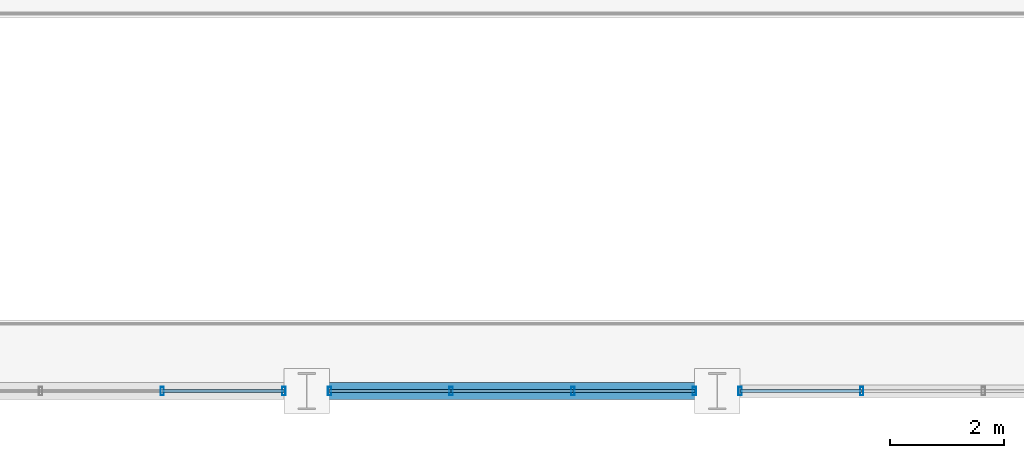
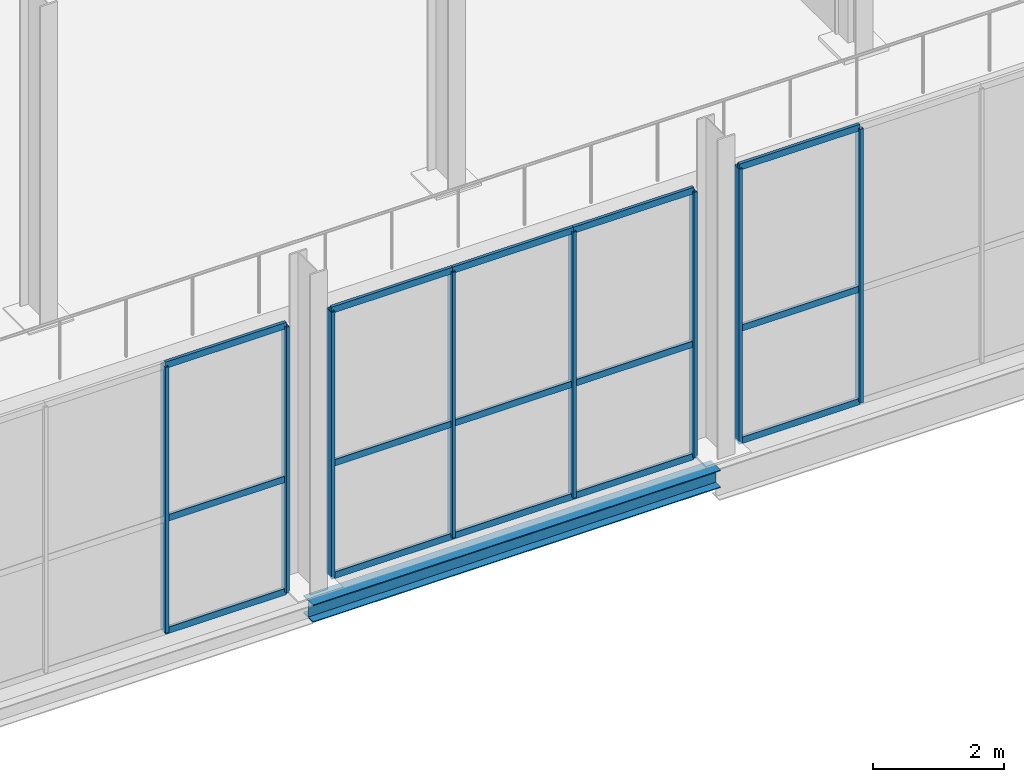
# One storey, part 80 of 144: 23 members, 1 beam, 3 elements without a shape of their own.
"""IFC4 building model written with IfcOpenShell, lengths in metres."""

from ifc_helpers import new_model, si_unit, direction, frame, origin, origin_2d, place, context, subcontext, project, spatial, hollow_rectangle, i_section, extrude, material, layer, layer_set, material_profile, profile_set, type_object, element, aggregate, save


model = new_model("IFC4")

# Units and contexts
model_context = context("Model", 3, precision=1e-05, world=origin(), true_north=direction((0.0, 1.0)))
body_context = subcontext(model_context, "Body", "Model", "MODEL_VIEW")
ifc_project = project(units=[si_unit("LENGTHUNIT", "METRE"), si_unit("AREAUNIT", "SQUARE_METRE"), si_unit("VOLUMEUNIT", "CUBIC_METRE"), si_unit("PLANEANGLEUNIT", "RADIAN"), si_unit("MASSUNIT", "GRAM", prefix="KILO")], contexts=[model_context])

# Site, building, storey
site_placement = place(None, origin())
site = spatial("IfcSite", under=ifc_project, at=site_placement, CompositionType="ELEMENT")
building_placement = place(site_placement, origin())
building = spatial("IfcBuilding", under=site, at=building_placement, Name="Sundgate Opera House", CompositionType="ELEMENT")
storey_placement = place(building_placement, origin())
storey = spatial("IfcBuildingStorey", under=building, at=storey_placement, Name="L00", CompositionType="ELEMENT", Elevation=0.0)

# Beam
ifc_material_1 = material(Name="Steel S355J2", Category="steel")
ifc_material_profile_1 = material_profile(ifc_material_1, i_section(OverallWidth=0.300048828125, OverallDepth=0.330078125, WebThickness=0.009521484375, FlangeThickness=0.0166015625, at=origin_2d()), Name="HEA 340")
ifc_profile_set_1 = profile_set([ifc_material_profile_1], Name="Steel S355J2")
beam_type = type_object("IfcBeamType", Name="BM-GR-HEA340", PredefinedType="BEAM", material=ifc_profile_set_1)
beam_placement = place(storey_placement, frame((145.800048828125, 0.0, -0.485107421875), z_axis=(1.0, 0.0, 0.0), x_axis=(0.0, 1.0, 0.0)))
element("IfcBeam", 1, at=beam_placement, inside=storey, type_object=beam_type, Name="L00 Primary E-W Girder B0335", PredefinedType="BEAM", context=body_context, shape_type="SweptSolid", body=[
    extrude(i_section(OverallWidth=0.300048828125, OverallDepth=0.330078125, WebThickness=0.009521484375, FlangeThickness=0.0166015625, at=origin_2d()), origin(), (0.0, 0.0, 1.0), 7.199951171875),
])

# Curtain wall, members
ifc_material_2 = material(Name="Anodized aluminium and low-iron glass", Category="aluminium")
ifc_layer = layer(ifc_material_2, 0.14990234375)
ifc_layer_set = layer_set([ifc_layer], Name="Anodized aluminium and low-iron glass")
curtain_wall_type = type_object("IfcCurtainWallType", Name="CW-WORKSHOP-DARK", PredefinedType="NOTDEFINED", material=ifc_layer_set)
curtain_wall_1_placement = place(storey_placement, origin())
curtain_wall_1 = element("IfcCurtainWall", 2, at=curtain_wall_1_placement, inside=storey, type_object=curtain_wall_type, Name="L00 Curtain Wall CW126", PredefinedType="NOTDEFINED")
ifc_material_3 = material(Name="Anodized aluminium EN AW-6063", Category="aluminium")
ifc_material_profile_2 = material_profile(ifc_material_3, hollow_rectangle(XDim=0.06005859375, YDim=0.14990234375, WallThickness=0.00390625, at=origin_2d()), Name="CWM 150x60x4")
ifc_profile_set_2 = profile_set([ifc_material_profile_2], Name="Anodized aluminium EN AW-6063")
member_type_1 = type_object("IfcMemberType", Name="CWM-ALU-150x60", PredefinedType="MULLION", material=ifc_profile_set_2)
member_1_placement = place(storey_placement, frame((145.39990234375, 0.0, 0.0), z_axis=(0.0, 0.0, 1.0), x_axis=(1.0, 0.0, 0.0)))
member_1 = element("IfcMember", 3, at=member_1_placement, type_object=member_type_1, Name="CW126 Mullion 1", PredefinedType="MULLION", context=body_context, shape_type="SweptSolid", body=[
    extrude(hollow_rectangle(XDim=0.06005859375, YDim=0.14990234375, WallThickness=0.00390625, at=origin_2d()), origin(), (0.0, 0.0, 1.0), 4.965087890625),
])
member_2_placement = place(storey_placement, frame((143.2666015625, 0.0, 0.0), z_axis=(0.0, 0.0, 1.0), x_axis=(1.0, 0.0, 0.0)))
member_2 = element("IfcMember", 4, at=member_2_placement, type_object=member_type_1, Name="CW126 Mullion 2", PredefinedType="MULLION", context=body_context, shape_type="SweptSolid", body=[
    extrude(hollow_rectangle(XDim=0.06005859375, YDim=0.14990234375, WallThickness=0.00390625, at=origin_2d()), origin(), (0.0, 0.0, 1.0), 4.965087890625),
])

curtain_wall_2_placement = place(storey_placement, origin())
curtain_wall_2 = element("IfcCurtainWall", 5, at=curtain_wall_2_placement, inside=storey, type_object=curtain_wall_type, Name="L00 Curtain Wall CW127", PredefinedType="NOTDEFINED")
member_3_placement = place(storey_placement, frame((152.60009765625, 0.0, 0.0), z_axis=(0.0, 0.0, 1.0), x_axis=(1.0, 0.0, 0.0)))
member_3 = element("IfcMember", 6, at=member_3_placement, type_object=member_type_1, Name="CW127 Mullion 1", PredefinedType="MULLION", context=body_context, shape_type="SweptSolid", body=[
    extrude(hollow_rectangle(XDim=0.06005859375, YDim=0.14990234375, WallThickness=0.00390625, at=origin_2d()), origin(), (0.0, 0.0, 1.0), 4.965087890625),
])
member_4_placement = place(storey_placement, frame((150.466552734375, 0.0, 0.0), z_axis=(0.0, 0.0, 1.0), x_axis=(1.0, 0.0, 0.0)))
member_4 = element("IfcMember", 7, at=member_4_placement, type_object=member_type_1, Name="CW127 Mullion 2", PredefinedType="MULLION", context=body_context, shape_type="SweptSolid", body=[
    extrude(hollow_rectangle(XDim=0.06005859375, YDim=0.14990234375, WallThickness=0.00390625, at=origin_2d()), origin(), (0.0, 0.0, 1.0), 4.965087890625),
])
member_5_placement = place(storey_placement, frame((148.333251953125, 0.0, 0.0), z_axis=(0.0, 0.0, 1.0), x_axis=(1.0, 0.0, 0.0)))
member_5 = element("IfcMember", 8, at=member_5_placement, type_object=member_type_1, Name="CW127 Mullion 3", PredefinedType="MULLION", context=body_context, shape_type="SweptSolid", body=[
    extrude(hollow_rectangle(XDim=0.06005859375, YDim=0.14990234375, WallThickness=0.00390625, at=origin_2d()), origin(), (0.0, 0.0, 1.0), 4.965087890625),
])
member_6_placement = place(storey_placement, frame((146.199951171875, 0.0, 0.0), z_axis=(0.0, 0.0, 1.0), x_axis=(1.0, 0.0, 0.0)))
member_6 = element("IfcMember", 9, at=member_6_placement, type_object=member_type_1, Name="CW127 Mullion 4", PredefinedType="MULLION", context=body_context, shape_type="SweptSolid", body=[
    extrude(hollow_rectangle(XDim=0.06005859375, YDim=0.14990234375, WallThickness=0.00390625, at=origin_2d()), origin(), (0.0, 0.0, 1.0), 4.965087890625),
])

curtain_wall_3_placement = place(storey_placement, origin())
curtain_wall_3 = element("IfcCurtainWall", 10, at=curtain_wall_3_placement, inside=storey, type_object=curtain_wall_type, Name="L00 Curtain Wall CW128", PredefinedType="NOTDEFINED")
member_7_placement = place(storey_placement, frame((155.533447265625, 0.0, 0.0), z_axis=(0.0, 0.0, 1.0), x_axis=(1.0, 0.0, 0.0)))
member_7 = element("IfcMember", 11, at=member_7_placement, type_object=member_type_1, Name="CW128 Mullion 3", PredefinedType="MULLION", context=body_context, shape_type="SweptSolid", body=[
    extrude(hollow_rectangle(XDim=0.06005859375, YDim=0.14990234375, WallThickness=0.00390625, at=origin_2d()), origin(), (0.0, 0.0, 1.0), 5.114990234375),
])
member_8_placement = place(storey_placement, frame((153.39990234375, 0.0, 0.0), z_axis=(0.0, 0.0, 1.0), x_axis=(1.0, 0.0, 0.0)))
member_8 = element("IfcMember", 12, at=member_8_placement, type_object=member_type_1, Name="CW128 Mullion 4", PredefinedType="MULLION", context=body_context, shape_type="SweptSolid", body=[
    extrude(hollow_rectangle(XDim=0.06005859375, YDim=0.14990234375, WallThickness=0.00390625, at=origin_2d()), origin(), (0.0, 0.0, 1.0), 5.114990234375),
])

# Member
ifc_material_4 = material(Name="Anodized aluminium EN AW-6063", Category="aluminium")
ifc_material_profile_3 = material_profile(ifc_material_4, hollow_rectangle(XDim=0.054931640625, YDim=0.1201171875, WallThickness=0.00390625, at=origin_2d()), Name="CWT 120x55x4")
ifc_profile_set_3 = profile_set([ifc_material_profile_3], Name="Anodized aluminium EN AW-6063")
member_type_2 = type_object("IfcMemberType", Name="CWT-ALU-120x55", PredefinedType="USERDEFINED", material=ifc_profile_set_3)
member_9_placement = place(storey_placement, frame((145.39990234375, 0.0, 0.0), z_axis=(-1.0, 0.0, 0.0), x_axis=(0.0, -1.0, 0.0)))
member_9 = element("IfcMember", 13, at=member_9_placement, type_object=member_type_2, Name="CW126 Transom 1", ObjectType="TRANSOM", PredefinedType="USERDEFINED", context=body_context, shape_type="SweptSolid", body=[
    extrude(hollow_rectangle(XDim=0.054931640625, YDim=0.1201171875, WallThickness=0.00390625, at=origin_2d()), origin(), (0.0, 0.0, 1.0), 2.13330078125),
])

member_10_placement = place(storey_placement, frame((145.39990234375, 0.0, 2.10009765625), z_axis=(-1.0, 0.0, 0.0), x_axis=(0.0, -1.0, 0.0)))
member_10 = element("IfcMember", 14, at=member_10_placement, type_object=member_type_2, Name="CW126 Transom 2", ObjectType="TRANSOM", PredefinedType="USERDEFINED", context=body_context, shape_type="SweptSolid", body=[
    extrude(hollow_rectangle(XDim=0.054931640625, YDim=0.1201171875, WallThickness=0.00390625, at=origin_2d()), origin(), (0.0, 0.0, 1.0), 2.13330078125),
])

member_11_placement = place(storey_placement, frame((145.39990234375, 0.0, 4.965087890625), z_axis=(-1.0, 0.0, 0.0), x_axis=(0.0, -1.0, 0.0)))
member_11 = element("IfcMember", 15, at=member_11_placement, type_object=member_type_2, Name="CW126 Transom 3", ObjectType="TRANSOM", PredefinedType="USERDEFINED", context=body_context, shape_type="SweptSolid", body=[
    extrude(hollow_rectangle(XDim=0.054931640625, YDim=0.1201171875, WallThickness=0.00390625, at=origin_2d()), origin(), (0.0, 0.0, 1.0), 2.13330078125),
])

aggregate(curtain_wall_1, [member_1, member_2, member_9, member_10, member_11])

member_12_placement = place(storey_placement, frame((152.60009765625, 0.0, 0.0), z_axis=(-1.0, 0.0, 0.0), x_axis=(0.0, -1.0, 0.0)))
member_12 = element("IfcMember", 16, at=member_12_placement, type_object=member_type_2, Name="CW127 Transom 1", ObjectType="TRANSOM", PredefinedType="USERDEFINED", context=body_context, shape_type="SweptSolid", body=[
    extrude(hollow_rectangle(XDim=0.054931640625, YDim=0.1201171875, WallThickness=0.00390625, at=origin_2d()), origin(), (0.0, 0.0, 1.0), 2.133544921875),
])

member_13_placement = place(storey_placement, frame((152.60009765625, 0.0, 2.10009765625), z_axis=(-1.0, 0.0, 0.0), x_axis=(0.0, -1.0, 0.0)))
member_13 = element("IfcMember", 17, at=member_13_placement, type_object=member_type_2, Name="CW127 Transom 2", ObjectType="TRANSOM", PredefinedType="USERDEFINED", context=body_context, shape_type="SweptSolid", body=[
    extrude(hollow_rectangle(XDim=0.054931640625, YDim=0.1201171875, WallThickness=0.00390625, at=origin_2d()), origin(), (0.0, 0.0, 1.0), 2.133544921875),
])

member_14_placement = place(storey_placement, frame((152.60009765625, 0.0, 4.965087890625), z_axis=(-1.0, 0.0, 0.0), x_axis=(0.0, -1.0, 0.0)))
member_14 = element("IfcMember", 18, at=member_14_placement, type_object=member_type_2, Name="CW127 Transom 3", ObjectType="TRANSOM", PredefinedType="USERDEFINED", context=body_context, shape_type="SweptSolid", body=[
    extrude(hollow_rectangle(XDim=0.054931640625, YDim=0.1201171875, WallThickness=0.00390625, at=origin_2d()), origin(), (0.0, 0.0, 1.0), 2.133544921875),
])

member_15_placement = place(storey_placement, frame((150.466552734375, 0.0, 0.0), z_axis=(-1.0, 0.0, 0.0), x_axis=(0.0, -1.0, 0.0)))
member_15 = element("IfcMember", 19, at=member_15_placement, type_object=member_type_2, Name="CW127 Transom 4", ObjectType="TRANSOM", PredefinedType="USERDEFINED", context=body_context, shape_type="SweptSolid", body=[
    extrude(hollow_rectangle(XDim=0.054931640625, YDim=0.1201171875, WallThickness=0.00390625, at=origin_2d()), origin(), (0.0, 0.0, 1.0), 2.13330078125),
])

member_16_placement = place(storey_placement, frame((150.466552734375, 0.0, 2.10009765625), z_axis=(-1.0, 0.0, 0.0), x_axis=(0.0, -1.0, 0.0)))
member_16 = element("IfcMember", 20, at=member_16_placement, type_object=member_type_2, Name="CW127 Transom 5", ObjectType="TRANSOM", PredefinedType="USERDEFINED", context=body_context, shape_type="SweptSolid", body=[
    extrude(hollow_rectangle(XDim=0.054931640625, YDim=0.1201171875, WallThickness=0.00390625, at=origin_2d()), origin(), (0.0, 0.0, 1.0), 2.13330078125),
])

member_17_placement = place(storey_placement, frame((150.466552734375, 0.0, 4.965087890625), z_axis=(-1.0, 0.0, 0.0), x_axis=(0.0, -1.0, 0.0)))
member_17 = element("IfcMember", 21, at=member_17_placement, type_object=member_type_2, Name="CW127 Transom 6", ObjectType="TRANSOM", PredefinedType="USERDEFINED", context=body_context, shape_type="SweptSolid", body=[
    extrude(hollow_rectangle(XDim=0.054931640625, YDim=0.1201171875, WallThickness=0.00390625, at=origin_2d()), origin(), (0.0, 0.0, 1.0), 2.13330078125),
])

member_18_placement = place(storey_placement, frame((148.333251953125, 0.0, 0.0), z_axis=(-1.0, 0.0, 0.0), x_axis=(0.0, -1.0, 0.0)))
member_18 = element("IfcMember", 22, at=member_18_placement, type_object=member_type_2, Name="CW127 Transom 7", ObjectType="TRANSOM", PredefinedType="USERDEFINED", context=body_context, shape_type="SweptSolid", body=[
    extrude(hollow_rectangle(XDim=0.054931640625, YDim=0.1201171875, WallThickness=0.00390625, at=origin_2d()), origin(), (0.0, 0.0, 1.0), 2.13330078125),
])

member_19_placement = place(storey_placement, frame((148.333251953125, 0.0, 2.10009765625), z_axis=(-1.0, 0.0, 0.0), x_axis=(0.0, -1.0, 0.0)))
member_19 = element("IfcMember", 23, at=member_19_placement, type_object=member_type_2, Name="CW127 Transom 8", ObjectType="TRANSOM", PredefinedType="USERDEFINED", context=body_context, shape_type="SweptSolid", body=[
    extrude(hollow_rectangle(XDim=0.054931640625, YDim=0.1201171875, WallThickness=0.00390625, at=origin_2d()), origin(), (0.0, 0.0, 1.0), 2.13330078125),
])

member_20_placement = place(storey_placement, frame((148.333251953125, 0.0, 4.965087890625), z_axis=(-1.0, 0.0, 0.0), x_axis=(0.0, -1.0, 0.0)))
member_20 = element("IfcMember", 24, at=member_20_placement, type_object=member_type_2, Name="CW127 Transom 9", ObjectType="TRANSOM", PredefinedType="USERDEFINED", context=body_context, shape_type="SweptSolid", body=[
    extrude(hollow_rectangle(XDim=0.054931640625, YDim=0.1201171875, WallThickness=0.00390625, at=origin_2d()), origin(), (0.0, 0.0, 1.0), 2.13330078125),
])

aggregate(curtain_wall_2, [member_3, member_4, member_5, member_6, member_12, member_13, member_14, member_15, member_16, member_17, member_18, member_19, member_20])

member_21_placement = place(storey_placement, frame((155.533447265625, 0.0, 0.0), z_axis=(-1.0, 0.0, 0.0), x_axis=(0.0, -1.0, 0.0)))
member_21 = element("IfcMember", 25, at=member_21_placement, type_object=member_type_2, Name="CW128 Transom 7", ObjectType="TRANSOM", PredefinedType="USERDEFINED", context=body_context, shape_type="SweptSolid", body=[
    extrude(hollow_rectangle(XDim=0.054931640625, YDim=0.1201171875, WallThickness=0.00390625, at=origin_2d()), origin(), (0.0, 0.0, 1.0), 2.133544921875),
])

member_22_placement = place(storey_placement, frame((155.533447265625, 0.0, 2.10009765625), z_axis=(-1.0, 0.0, 0.0), x_axis=(0.0, -1.0, 0.0)))
member_22 = element("IfcMember", 26, at=member_22_placement, type_object=member_type_2, Name="CW128 Transom 8", ObjectType="TRANSOM", PredefinedType="USERDEFINED", context=body_context, shape_type="SweptSolid", body=[
    extrude(hollow_rectangle(XDim=0.054931640625, YDim=0.1201171875, WallThickness=0.00390625, at=origin_2d()), origin(), (0.0, 0.0, 1.0), 2.133544921875),
])

member_23_placement = place(storey_placement, frame((155.533447265625, 0.0, 5.114990234375), z_axis=(-1.0, 0.0, 0.0), x_axis=(0.0, -1.0, 0.0)))
member_23 = element("IfcMember", 27, at=member_23_placement, type_object=member_type_2, Name="CW128 Transom 9", ObjectType="TRANSOM", PredefinedType="USERDEFINED", context=body_context, shape_type="SweptSolid", body=[
    extrude(hollow_rectangle(XDim=0.054931640625, YDim=0.1201171875, WallThickness=0.00390625, at=origin_2d()), origin(), (0.0, 0.0, 1.0), 2.133544921875),
])

aggregate(curtain_wall_3, [member_7, member_8, member_21, member_22, member_23])

save(model, "model.ifc")
